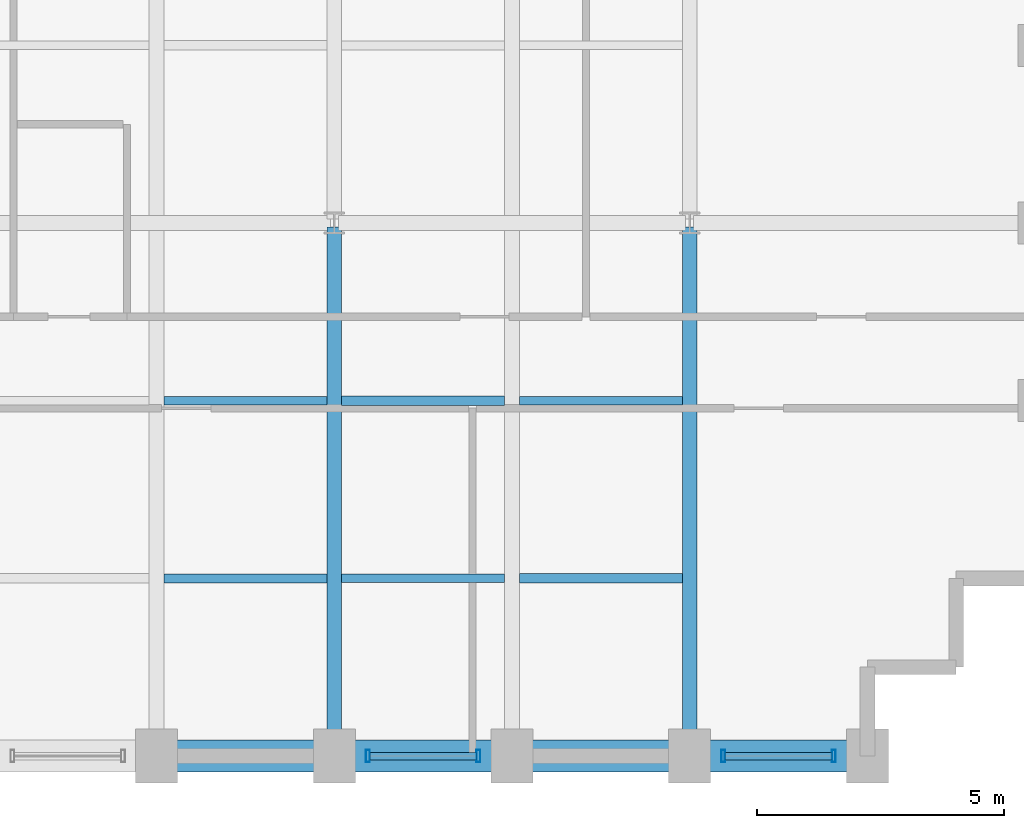
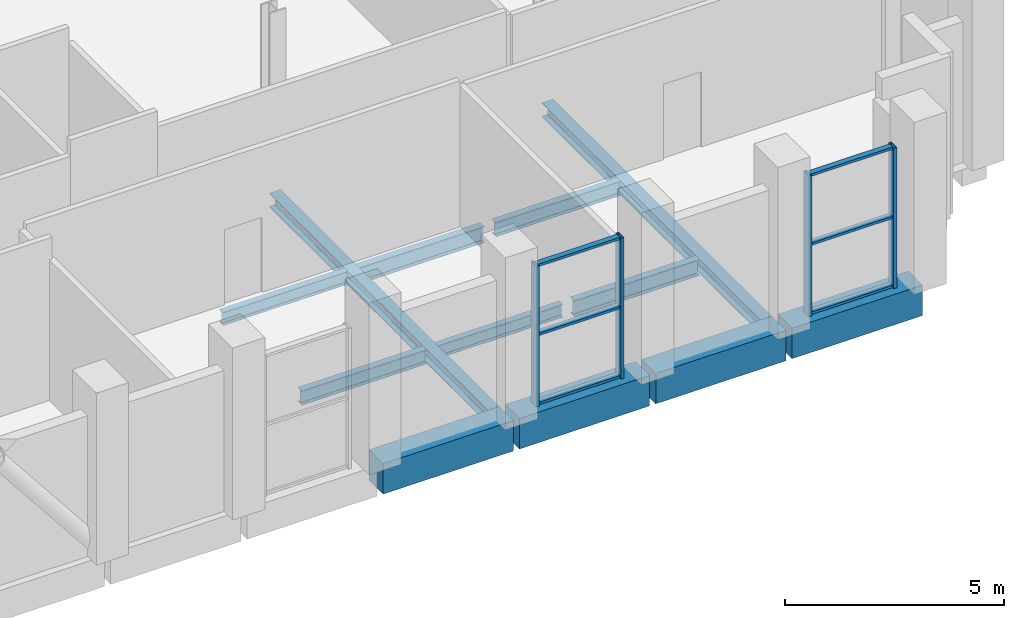
# One storey, part 9 of 22: 12 beams, 10 members, 2 elements without a shape of their own.
"""IFC4 building model written with IfcOpenShell, lengths in metres."""

from ifc_helpers import new_model, si_unit, direction, frame, origin, origin_2d, place, context, subcontext, project, spatial, rectangle, hollow_rectangle, i_section, extrude, material, layer, layer_set, material_profile, profile_set, type_object, element, aggregate, save


model = new_model("IFC4")

# Units and contexts
model_context = context("Model", 3, precision=1e-05, world=origin(), true_north=direction((0.0, 1.0)))
body_context = subcontext(model_context, "Body", "Model", "MODEL_VIEW")
ifc_project = project(units=[si_unit("LENGTHUNIT", "METRE"), si_unit("AREAUNIT", "SQUARE_METRE"), si_unit("VOLUMEUNIT", "CUBIC_METRE"), si_unit("PLANEANGLEUNIT", "RADIAN"), si_unit("MASSUNIT", "GRAM", prefix="KILO")], contexts=[model_context])

# Site, building, storey
site_placement = place(None, origin())
site = spatial("IfcSite", under=ifc_project, at=site_placement, CompositionType="ELEMENT")
building_placement = place(site_placement, origin())
building = spatial("IfcBuilding", under=site, at=building_placement, Name="Solnavia Interchange Tower", CompositionType="ELEMENT")
storey_placement = place(building_placement, frame((0.0, 0.0, 115.199951171875)))
storey = spatial("IfcBuildingStorey", under=building, at=storey_placement, Name="L28", CompositionType="ELEMENT", Elevation=115.199951171875)

# Beams
ifc_material_1 = material(Name="Steel S355", Category="steel")
ifc_material_profile_1 = material_profile(ifc_material_1, i_section(OverallWidth=0.169921875, OverallDepth=0.360107421875, WebThickness=0.008056640625, FlangeThickness=0.0126953125, FilletRadius=0.01806640625, at=origin_2d()), Name="IPE 360")
ifc_profile_set_1 = profile_set([ifc_material_profile_1], Name="Steel S355")
beam_type_1 = type_object("IfcBeamType", Name="Beam-Joist-IPE360", PredefinedType="JOIST", material=ifc_profile_set_1)
beam_1_placement = place(storey_placement, frame((43.35009765625, 7.199951171875, -0.5), z_axis=(1.0, 0.0, 0.0), x_axis=(0.0, 1.0, 0.0)))
element("IfcBeam", 1, at=beam_1_placement, inside=storey, type_object=beam_type_1, Name="JST-L28-E03 East wing secondary joist", PredefinedType="JOIST", context=body_context, shape_type="SweptSolid", body=[
    extrude(i_section(OverallWidth=0.169921875, OverallDepth=0.360107421875, WebThickness=0.008056640625, FlangeThickness=0.0126953125, FilletRadius=0.01806640625, at=origin_2d()), origin(), (0.0, 0.0, 1.0), 3.2998046875),
])
beam_2_placement = place(storey_placement, frame((39.75, 10.800048828125, -0.5), z_axis=(1.0, 0.0, 0.0), x_axis=(0.0, 1.0, 0.0)))
element("IfcBeam", 2, at=beam_2_placement, inside=storey, type_object=beam_type_1, Name="JST-L28-E06 East wing secondary joist", PredefinedType="JOIST", context=body_context, shape_type="SweptSolid", body=[
    extrude(i_section(OverallWidth=0.169921875, OverallDepth=0.360107421875, WebThickness=0.008056640625, FlangeThickness=0.0126953125, FilletRadius=0.01806640625, at=origin_2d()), origin(), (0.0, 0.0, 1.0), 3.300048828125),
])
ifc_material_profile_2 = material_profile(ifc_material_1, i_section(OverallWidth=0.179931640625, OverallDepth=0.39990234375, WebThickness=0.008544921875, FlangeThickness=0.013427734375, FilletRadius=0.02099609375, at=origin_2d()), Name="IPE 400")
ifc_profile_set_2 = profile_set([ifc_material_profile_2], Name="Steel S355")
beam_type_2 = type_object("IfcBeamType", Name="Beam-Joist-IPE400", PredefinedType="JOIST", material=ifc_profile_set_2)
for number, where, z_axis, x_axis, name in (
    (3, (39.75, 7.199951171875, -0.52001953125), (1.0, 0.0, 0.0), (0.0, 1.0, 0.0), "JST-L28-E02 East wing secondary joist"),
    (4, (46.949951171875, 10.800048828125, -0.52001953125), (1.0, 0.0, 0.0), (0.0, 1.0, 0.0), "JST-L28-E08 East wing secondary joist"),
):
    element("IfcBeam", number, at=place(storey_placement, frame(where, z_axis=z_axis, x_axis=x_axis)), inside=storey, type_object=beam_type_2, Name=name, PredefinedType="JOIST", context=body_context, shape_type="SweptSolid", body=[
        extrude(i_section(OverallWidth=0.179931640625, OverallDepth=0.39990234375, WebThickness=0.008544921875, FlangeThickness=0.013427734375, FilletRadius=0.02099609375, at=origin_2d()), origin(), (0.0, 0.0, 1.0), 3.300048828125),
    ])
ifc_material_profile_3 = material_profile(ifc_material_1, i_section(OverallWidth=0.18994140625, OverallDepth=0.449951171875, WebThickness=0.009521484375, FlangeThickness=0.0146484375, FilletRadius=0.02099609375, at=origin_2d()), Name="IPE 450")
ifc_profile_set_3 = profile_set([ifc_material_profile_3], Name="Steel S355")
beam_type_3 = type_object("IfcBeamType", Name="Beam-Joist-IPE450", PredefinedType="JOIST", material=ifc_profile_set_3)
beam_3_placement = place(storey_placement, frame((46.949951171875, 7.199951171875, -0.544921875), z_axis=(1.0, 0.0, 0.0), x_axis=(0.0, 1.0, 0.0)))
element("IfcBeam", 5, at=beam_3_placement, inside=storey, type_object=beam_type_3, Name="JST-L28-E04 East wing secondary joist", PredefinedType="JOIST", context=body_context, shape_type="SweptSolid", body=[
    extrude(i_section(OverallWidth=0.18994140625, OverallDepth=0.449951171875, WebThickness=0.009521484375, FlangeThickness=0.0146484375, FilletRadius=0.02099609375, at=origin_2d()), origin(), (0.0, 0.0, 1.0), 3.300048828125),
])
beam_4_placement = place(storey_placement, frame((43.35009765625, 10.800048828125, -0.544921875), z_axis=(1.0, 0.0, 0.0), x_axis=(0.0, 1.0, 0.0)))
element("IfcBeam", 6, at=beam_4_placement, inside=storey, type_object=beam_type_3, Name="JST-L28-E07 East wing secondary joist", PredefinedType="JOIST", context=body_context, shape_type="SweptSolid", body=[
    extrude(i_section(OverallWidth=0.18994140625, OverallDepth=0.449951171875, WebThickness=0.009521484375, FlangeThickness=0.0146484375, FilletRadius=0.02099609375, at=origin_2d()), origin(), (0.0, 0.0, 1.0), 3.2998046875),
])
ifc_material_profile_4 = material_profile(ifc_material_1, i_section(OverallWidth=0.300048828125, OverallDepth=0.389892578125, WebThickness=0.010986328125, FlangeThickness=0.01904296875, FilletRadius=0.027099609375, at=origin_2d()), Name="HEA 400")
ifc_profile_set_4 = profile_set([ifc_material_profile_4], Name="Steel S355")
beam_type_4 = type_object("IfcBeamType", Name="Beam-Primary-HEA400", PredefinedType="BEAM", material=ifc_profile_set_4)
for number, where, z_axis, x_axis, name in (
    (7, (43.199951171875, 3.679931640625, -0.514892578125), (0.0, 1.0, 0.0), (-1.0, 0.0, 0.0), "GRD-L28-EW06 East wing primary floor girder"),
    (8, (50.39990234375, 3.679931640625, -0.514892578125), (0.0, 1.0, 0.0), (-1.0, 0.0, 0.0), "GRD-L28-EW09 East wing primary floor girder"),
):
    element("IfcBeam", number, at=place(storey_placement, frame(where, z_axis=z_axis, x_axis=x_axis)), inside=storey, type_object=beam_type_4, Name=name, PredefinedType="BEAM", context=body_context, shape_type="SweptSolid", body=[
        extrude(i_section(OverallWidth=0.300048828125, OverallDepth=0.389892578125, WebThickness=0.010986328125, FlangeThickness=0.01904296875, FilletRadius=0.027099609375, at=origin_2d()), origin(), (0.0, 0.0, 1.0), 10.64013671875),
    ])
ifc_material_2 = material(Name="Concrete C50/60", Category="concrete")
ifc_material_profile_5 = material_profile(ifc_material_2, rectangle(XDim=0.64990234375, YDim=0.85009765625, at=origin_2d()), Name="RC 650x850")
ifc_profile_set_5 = profile_set([ifc_material_profile_5], Name="Concrete C50/60")
beam_type_5 = type_object("IfcBeamType", Name="Beam-Spandrel-RC650x850", PredefinedType="SPANDREL", material=ifc_profile_set_5)
beam_5_placement = place(storey_placement, frame((39.679931640625, 3.60009765625, -0.425048828125), z_axis=(1.0, 0.0, 0.0), x_axis=(0.0, 1.0, 0.0)))
element("IfcBeam", 9, at=beam_5_placement, inside=storey, type_object=beam_type_5, Name="SPB-L28-13 Framed-tube perimeter spandrel beam", PredefinedType="SPANDREL", context=body_context, shape_type="SweptSolid", body=[
    extrude(rectangle(XDim=0.64990234375, YDim=0.85009765625, at=origin_2d()), origin(), (0.0, 0.0, 1.0), 3.440185546875),
])
beam_6_placement = place(storey_placement, frame((43.280029296875, 3.60009765625, -0.425048828125), z_axis=(1.0, 0.0, 0.0), x_axis=(0.0, 1.0, 0.0)))
element("IfcBeam", 10, at=beam_6_placement, inside=storey, type_object=beam_type_5, Name="SPB-L28-14 Framed-tube perimeter spandrel beam", PredefinedType="SPANDREL", context=body_context, shape_type="SweptSolid", body=[
    extrude(rectangle(XDim=0.64990234375, YDim=0.85009765625, at=origin_2d()), origin(), (0.0, 0.0, 1.0), 3.43994140625),
])
beam_7_placement = place(storey_placement, frame((46.8798828125, 3.60009765625, -0.425048828125), z_axis=(1.0, 0.0, 0.0), x_axis=(0.0, 1.0, 0.0)))
element("IfcBeam", 11, at=beam_7_placement, inside=storey, type_object=beam_type_5, Name="SPB-L28-15 Framed-tube perimeter spandrel beam", PredefinedType="SPANDREL", context=body_context, shape_type="SweptSolid", body=[
    extrude(rectangle(XDim=0.64990234375, YDim=0.85009765625, at=origin_2d()), origin(), (0.0, 0.0, 1.0), 3.440185546875),
])
beam_8_placement = place(storey_placement, frame((50.47998046875, 3.60009765625, -0.425048828125), z_axis=(1.0, 0.0, 0.0), x_axis=(0.0, 1.0, 0.0)))
element("IfcBeam", 12, at=beam_8_placement, inside=storey, type_object=beam_type_5, Name="SPB-L28-16 Framed-tube perimeter spandrel beam", PredefinedType="SPANDREL", context=body_context, shape_type="SweptSolid", body=[
    extrude(rectangle(XDim=0.64990234375, YDim=0.85009765625, at=origin_2d()), origin(), (0.0, 0.0, 1.0), 3.43994140625),
])

# Curtain wall, members
ifc_material_3 = material(Name="Aluminium Alloy 6063-T6", Category="aluminium")
ifc_layer = layer(ifc_material_3, 0.27001953125)
ifc_layer_set = layer_set([ifc_layer], Name="Aluminium Alloy 6063-T6")
curtain_wall_type = type_object("IfcCurtainWallType", Name="CurtainWall-SkyLobby-CTW4", PredefinedType="NOTDEFINED", material=ifc_layer_set)
curtain_wall_1_placement = place(storey_placement, origin())
curtain_wall_1 = element("IfcCurtainWall", 13, at=curtain_wall_1_placement, inside=storey, type_object=curtain_wall_type, Name="CTW-L28-S06 CTW-4 curtain wall", PredefinedType="NOTDEFINED")
ifc_material_profile_6 = material_profile(ifc_material_3, hollow_rectangle(XDim=0.080078125, YDim=0.25, WallThickness=0.006103515625, at=origin_2d()), Name="ALU 250x80x6")
ifc_profile_set_6 = profile_set([ifc_material_profile_6], Name="Aluminium Alloy 6063-T6")
member_type_1 = type_object("IfcMemberType", Name="CW-Mullion-CWM-4", PredefinedType="MULLION", material=ifc_profile_set_6)
member_1_placement = place(storey_placement, frame((43.8798828125, 3.60009765625, 0.0), z_axis=(0.0, 0.0, 1.0), x_axis=(1.0, 0.0, 0.0)))
member_1 = element("IfcMember", 14, at=member_1_placement, type_object=member_type_1, Name="CTW-4 mullion 1", PredefinedType="MULLION", context=body_context, shape_type="SweptSolid", body=[
    extrude(hollow_rectangle(XDim=0.080078125, YDim=0.25, WallThickness=0.006103515625, at=origin_2d()), origin(), (0.0, 0.0, 1.0), 3.929931640625),
])
member_2_placement = place(storey_placement, frame((46.1201171875, 3.60009765625, 0.0), z_axis=(0.0, 0.0, 1.0), x_axis=(1.0, 0.0, 0.0)))
member_2 = element("IfcMember", 15, at=member_2_placement, type_object=member_type_1, Name="CTW-4 mullion 2", PredefinedType="MULLION", context=body_context, shape_type="SweptSolid", body=[
    extrude(hollow_rectangle(XDim=0.080078125, YDim=0.25, WallThickness=0.006103515625, at=origin_2d()), origin(), (0.0, 0.0, 1.0), 3.929931640625),
])

curtain_wall_2_placement = place(storey_placement, origin())
curtain_wall_2 = element("IfcCurtainWall", 16, at=curtain_wall_2_placement, inside=storey, type_object=curtain_wall_type, Name="CTW-L28-S08 CTW-4 curtain wall", PredefinedType="NOTDEFINED")
member_3_placement = place(storey_placement, frame((51.080078125, 3.60009765625, 0.0), z_axis=(0.0, 0.0, 1.0), x_axis=(1.0, 0.0, 0.0)))
member_3 = element("IfcMember", 17, at=member_3_placement, type_object=member_type_1, Name="CTW-4 mullion 1", PredefinedType="MULLION", context=body_context, shape_type="SweptSolid", body=[
    extrude(hollow_rectangle(XDim=0.080078125, YDim=0.25, WallThickness=0.006103515625, at=origin_2d()), origin(), (0.0, 0.0, 1.0), 3.929931640625),
])
member_4_placement = place(storey_placement, frame((53.320068359375, 3.60009765625, 0.0), z_axis=(0.0, 0.0, 1.0), x_axis=(1.0, 0.0, 0.0)))
member_4 = element("IfcMember", 18, at=member_4_placement, type_object=member_type_1, Name="CTW-4 mullion 2", PredefinedType="MULLION", context=body_context, shape_type="SweptSolid", body=[
    extrude(hollow_rectangle(XDim=0.080078125, YDim=0.25, WallThickness=0.006103515625, at=origin_2d()), origin(), (0.0, 0.0, 1.0), 3.929931640625),
])

# Member
ifc_material_profile_7 = material_profile(ifc_material_3, hollow_rectangle(XDim=0.070068359375, YDim=0.14990234375, WallThickness=0.00439453125, at=origin_2d()), Name="ALU 150x70x4.5")
ifc_profile_set_7 = profile_set([ifc_material_profile_7], Name="Aluminium Alloy 6063-T6")
member_type_2 = type_object("IfcMemberType", Name="CW-Transom-CWT-4", PredefinedType="USERDEFINED", material=ifc_profile_set_7)
member_5_placement = place(storey_placement, frame((43.919921875, 3.60009765625, 0.03515625), z_axis=(1.0, 0.0, 0.0), x_axis=(0.0, 0.0, 1.0)))
member_5 = element("IfcMember", 19, at=member_5_placement, type_object=member_type_2, Name="CTW-4 transom 1.1", ObjectType="TRANSOM", PredefinedType="USERDEFINED", context=body_context, shape_type="SweptSolid", body=[
    extrude(hollow_rectangle(XDim=0.070068359375, YDim=0.14990234375, WallThickness=0.00439453125, at=origin_2d()), origin(), (0.0, 0.0, 1.0), 2.16015625),
])

member_6_placement = place(storey_placement, frame((43.919921875, 3.60009765625, 1.965087890625), z_axis=(1.0, 0.0, 0.0), x_axis=(0.0, 0.0, 1.0)))
member_6 = element("IfcMember", 20, at=member_6_placement, type_object=member_type_2, Name="CTW-4 transom 1.2", ObjectType="TRANSOM", PredefinedType="USERDEFINED", context=body_context, shape_type="SweptSolid", body=[
    extrude(hollow_rectangle(XDim=0.070068359375, YDim=0.14990234375, WallThickness=0.00439453125, at=origin_2d()), origin(), (0.0, 0.0, 1.0), 2.16015625),
])

member_7_placement = place(storey_placement, frame((43.919921875, 3.60009765625, 3.89501953125), z_axis=(1.0, 0.0, 0.0), x_axis=(0.0, 0.0, 1.0)))
member_7 = element("IfcMember", 21, at=member_7_placement, type_object=member_type_2, Name="CTW-4 transom 1.3", ObjectType="TRANSOM", PredefinedType="USERDEFINED", context=body_context, shape_type="SweptSolid", body=[
    extrude(hollow_rectangle(XDim=0.070068359375, YDim=0.14990234375, WallThickness=0.00439453125, at=origin_2d()), origin(), (0.0, 0.0, 1.0), 2.16015625),
])

aggregate(curtain_wall_1, [member_1, member_2, member_5, member_6, member_7])

member_8_placement = place(storey_placement, frame((51.1201171875, 3.60009765625, 0.03515625), z_axis=(1.0, 0.0, 0.0), x_axis=(0.0, 0.0, 1.0)))
member_8 = element("IfcMember", 22, at=member_8_placement, type_object=member_type_2, Name="CTW-4 transom 1.1", ObjectType="TRANSOM", PredefinedType="USERDEFINED", context=body_context, shape_type="SweptSolid", body=[
    extrude(hollow_rectangle(XDim=0.070068359375, YDim=0.14990234375, WallThickness=0.00439453125, at=origin_2d()), origin(), (0.0, 0.0, 1.0), 2.159912109375),
])

member_9_placement = place(storey_placement, frame((51.1201171875, 3.60009765625, 1.965087890625), z_axis=(1.0, 0.0, 0.0), x_axis=(0.0, 0.0, 1.0)))
member_9 = element("IfcMember", 23, at=member_9_placement, type_object=member_type_2, Name="CTW-4 transom 1.2", ObjectType="TRANSOM", PredefinedType="USERDEFINED", context=body_context, shape_type="SweptSolid", body=[
    extrude(hollow_rectangle(XDim=0.070068359375, YDim=0.14990234375, WallThickness=0.00439453125, at=origin_2d()), origin(), (0.0, 0.0, 1.0), 2.159912109375),
])

member_10_placement = place(storey_placement, frame((51.1201171875, 3.60009765625, 3.89501953125), z_axis=(1.0, 0.0, 0.0), x_axis=(0.0, 0.0, 1.0)))
member_10 = element("IfcMember", 24, at=member_10_placement, type_object=member_type_2, Name="CTW-4 transom 1.3", ObjectType="TRANSOM", PredefinedType="USERDEFINED", context=body_context, shape_type="SweptSolid", body=[
    extrude(hollow_rectangle(XDim=0.070068359375, YDim=0.14990234375, WallThickness=0.00439453125, at=origin_2d()), origin(), (0.0, 0.0, 1.0), 2.159912109375),
])

aggregate(curtain_wall_2, [member_3, member_4, member_8, member_9, member_10])

save(model, "model.ifc")
